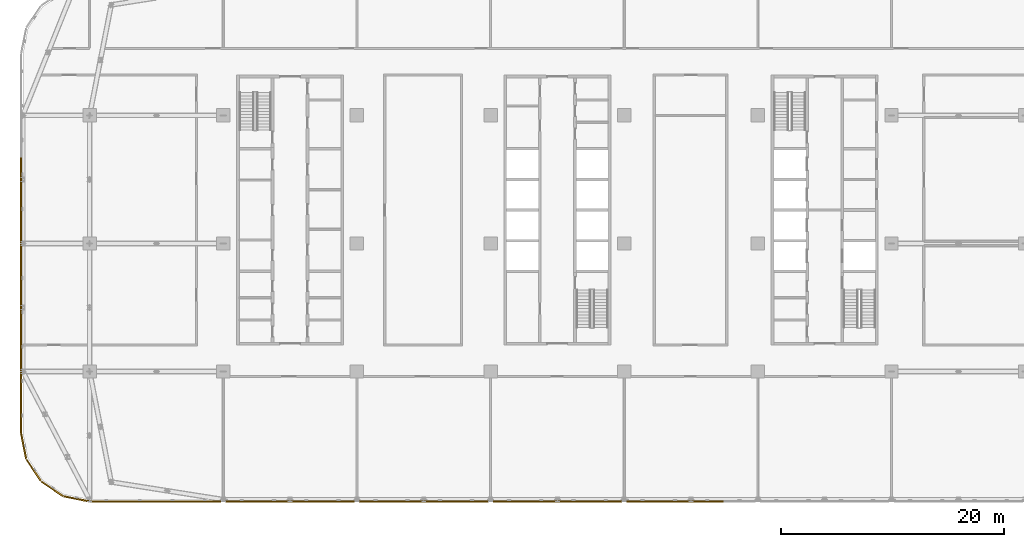
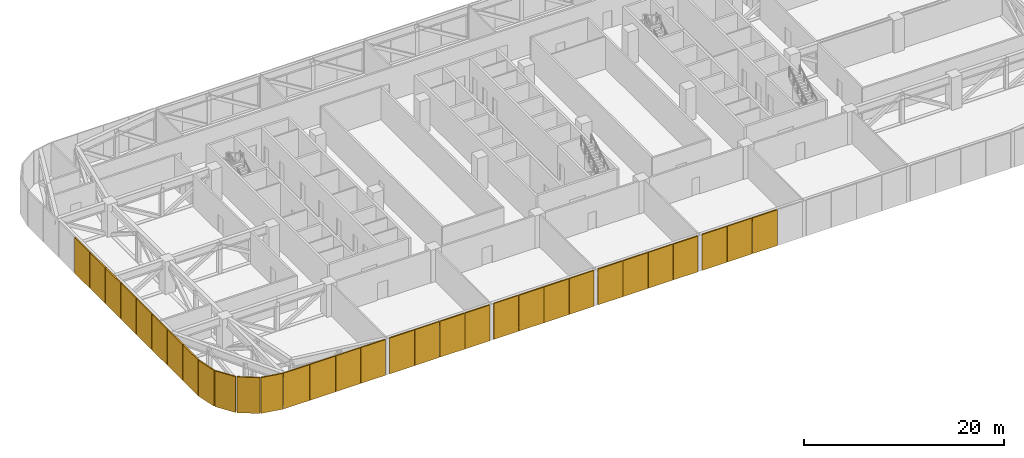
# One storey, part 21 of 26: 31 coverings.
"""IFC4 building model written with IfcOpenShell, lengths in metres."""

from ifc_helpers import new_model, si_unit, direction, frame, origin, origin_2d, place, context, subcontext, project, spatial, rectangle, extrude, material, type_object, element, save


model = new_model("IFC4")

# Units and contexts
model_context = context("Model", 3, precision=1e-05, world=origin(), true_north=direction((0.0, 1.0)))
body_context = subcontext(model_context, "Body", "Model", "MODEL_VIEW")
ifc_project = project(units=[si_unit("LENGTHUNIT", "METRE"), si_unit("AREAUNIT", "SQUARE_METRE"), si_unit("VOLUMEUNIT", "CUBIC_METRE"), si_unit("PLANEANGLEUNIT", "RADIAN"), si_unit("MASSUNIT", "GRAM", prefix="KILO")], contexts=[model_context])

# Site, building, storey
site_placement = place(None, origin())
site = spatial("IfcSite", under=ifc_project, at=site_placement, CompositionType="ELEMENT")
building_placement = place(site_placement, origin())
building = spatial("IfcBuilding", under=site, at=building_placement, Name="Mahtab Terrace Research Tower", CompositionType="ELEMENT")
storey_placement = place(building_placement, frame((0.0, 0.0, 189.60009765625)))
storey = spatial("IfcBuildingStorey", under=building, at=storey_placement, Name="L45", CompositionType="ELEMENT", Elevation=189.60009765625)

# Coverings
ifc_material = material(Name="Natural anodised aluminium", Category="aluminium")
covering_type = type_object("IfcCoveringType", Name="Plant storey louvre bay", PredefinedType="CLADDING", material=ifc_material)
for number, where, z_axis, x_axis, name in (
    (1, (-48.159912109375, 6.181884765625, -0.400390625), (0.0, 0.0, 1.0), (0.0, -1.0, 0.0), "Louvre bay L45 60"),
    (2, (-48.159912109375, 3.0908203125, -0.400390625), (0.0, 0.0, 1.0), (0.0, -1.0, 0.0), "Louvre bay L45 61"),
    (3, (-48.159912109375, 0.0, -0.400390625), (0.0, 0.0, 1.0), (0.0, -1.0, 0.0), "Louvre bay L45 62"),
    (4, (-48.159912109375, -3.0908203125, -0.400390625), (0.0, 0.0, 1.0), (0.0, -1.0, 0.0), "Louvre bay L45 63"),
    (5, (-48.159912109375, -6.181884765625, -0.400390625), (0.0, 0.0, 1.0), (0.0, -1.0, 0.0), "Louvre bay L45 64"),
    (6, (-48.159912109375, -9.272705078125, -0.400390625), (0.0, 0.0, 1.0), (0.0, -1.0, 0.0), "Louvre bay L45 65"),
    (7, (-48.159912109375, -12.363525390625, -0.400390625), (0.0, 0.0, 1.0), (0.0, -1.0, 0.0), "Louvre bay L45 66"),
    (8, (-48.159912109375, -15.45458984375, -0.400390625), (0.0, 0.0, 1.0), (0.0, -1.0, 0.0), "Louvre bay L45 67"),
):
    element("IfcCovering", number, at=place(storey_placement, frame(where, z_axis=z_axis, x_axis=x_axis)), inside=storey, type_object=covering_type, Name=name, PredefinedType="CLADDING", context=body_context, shape_type="SweptSolid", body=[
        extrude(rectangle(XDim=3.051025390625, YDim=0.139892578125, at=origin_2d()), origin(), (0.0, 0.0, 1.0), 4.360107421875),
    ])
for number, where, z_axis, x_axis, name in (
    (9, (-47.928466796875, -18.17919921875, -0.400390625), (0.0, 0.0, 1.0), (0.195212442692, -0.980760981187, 0.0), "Louvre bay L45 68"),
    (10, (-47.026123046875, -20.3583984375, -0.400390625), (0.0, 0.0, 1.0), (0.555291490808, -0.831655794326, 0.0), "Louvre bay L45 69"),
    (11, (-45.3583984375, -22.026123046875, -0.400390625), (0.0, 0.0, 1.0), (0.831655794326, -0.555291490808, 0.0), "Louvre bay L45 70"),
    (12, (-43.17919921875, -22.928466796875, -0.400390625), (0.0, 0.0, 1.0), (0.980760981187, -0.195212442692, 0.0), "Louvre bay L45 71"),
):
    element("IfcCovering", number, at=place(storey_placement, frame(where, z_axis=z_axis, x_axis=x_axis)), inside=storey, type_object=covering_type, Name=name, PredefinedType="CLADDING", context=body_context, shape_type="SweptSolid", body=[
        extrude(rectangle(XDim=2.301025390625, YDim=0.139892578125, at=origin_2d()), origin(), (0.0, 0.0, 1.0), 4.360107421875),
    ])
for number, where, z_axis, x_axis, name in (
    (13, (-40.5, -23.159912109375, -0.400390625), (0.0, 0.0, 1.0), (1.0, 0.0, 0.0), "Louvre bay L45 72"),
    (14, (-37.5, -23.159912109375, -0.400390625), (0.0, 0.0, 1.0), (1.0, 0.0, 0.0), "Louvre bay L45 73"),
):
    element("IfcCovering", number, at=place(storey_placement, frame(where, z_axis=z_axis, x_axis=x_axis)), inside=storey, type_object=covering_type, Name=name, PredefinedType="CLADDING", context=body_context, shape_type="SweptSolid", body=[
        extrude(rectangle(XDim=2.9599609375, YDim=0.139892578125, at=origin_2d()), origin(), (0.0, 0.0, 1.0), 4.360107421875),
    ])
for number, where, z_axis, x_axis, name in (
    (15, (-34.552001953125, -23.159912109375, -0.400390625), (0.0, 0.0, 1.0), (1.0, 0.0, 0.0), "Louvre bay L45 74"),
    (16, (-31.656005859375, -23.159912109375, -0.400390625), (0.0, 0.0, 1.0), (1.0, 0.0, 0.0), "Louvre bay L45 75"),
    (17, (-28.343994140625, -23.159912109375, -0.400390625), (0.0, 0.0, 1.0), (1.0, 0.0, 0.0), "Louvre bay L45 76"),
    (18, (-25.447998046875, -23.159912109375, -0.400390625), (0.0, 0.0, 1.0), (1.0, 0.0, 0.0), "Louvre bay L45 77"),
    (19, (-22.552001953125, -23.159912109375, -0.400390625), (0.0, 0.0, 1.0), (1.0, 0.0, 0.0), "Louvre bay L45 78"),
    (20, (-19.656005859375, -23.159912109375, -0.400390625), (0.0, 0.0, 1.0), (1.0, 0.0, 0.0), "Louvre bay L45 79"),
    (21, (-16.343994140625, -23.159912109375, -0.400390625), (0.0, 0.0, 1.0), (1.0, 0.0, 0.0), "Louvre bay L45 80"),
    (22, (-13.447998046875, -23.159912109375, -0.400390625), (0.0, 0.0, 1.0), (1.0, 0.0, 0.0), "Louvre bay L45 81"),
    (23, (-10.552001953125, -23.159912109375, -0.400390625), (0.0, 0.0, 1.0), (1.0, 0.0, 0.0), "Louvre bay L45 82"),
    (24, (-7.656005859375, -23.159912109375, -0.400390625), (0.0, 0.0, 1.0), (1.0, 0.0, 0.0), "Louvre bay L45 83"),
    (25, (-4.343994140625, -23.159912109375, -0.400390625), (0.0, 0.0, 1.0), (1.0, 0.0, 0.0), "Louvre bay L45 84"),
    (26, (-1.447998046875, -23.159912109375, -0.400390625), (0.0, 0.0, 1.0), (1.0, 0.0, 0.0), "Louvre bay L45 85"),
    (27, (1.447998046875, -23.159912109375, -0.400390625), (0.0, 0.0, 1.0), (1.0, 0.0, 0.0), "Louvre bay L45 86"),
    (28, (4.343994140625, -23.159912109375, -0.400390625), (0.0, 0.0, 1.0), (1.0, 0.0, 0.0), "Louvre bay L45 87"),
    (29, (7.656005859375, -23.159912109375, -0.400390625), (0.0, 0.0, 1.0), (1.0, 0.0, 0.0), "Louvre bay L45 88"),
    (30, (10.552001953125, -23.159912109375, -0.400390625), (0.0, 0.0, 1.0), (1.0, 0.0, 0.0), "Louvre bay L45 89"),
    (31, (13.447998046875, -23.159912109375, -0.400390625), (0.0, 0.0, 1.0), (1.0, 0.0, 0.0), "Louvre bay L45 90"),
):
    element("IfcCovering", number, at=place(storey_placement, frame(where, z_axis=z_axis, x_axis=x_axis)), inside=storey, type_object=covering_type, Name=name, PredefinedType="CLADDING", context=body_context, shape_type="SweptSolid", body=[
        extrude(rectangle(XDim=2.85595703125, YDim=0.139892578125, at=origin_2d()), origin(), (0.0, 0.0, 1.0), 4.360107421875),
    ])

save(model, "model.ifc")
